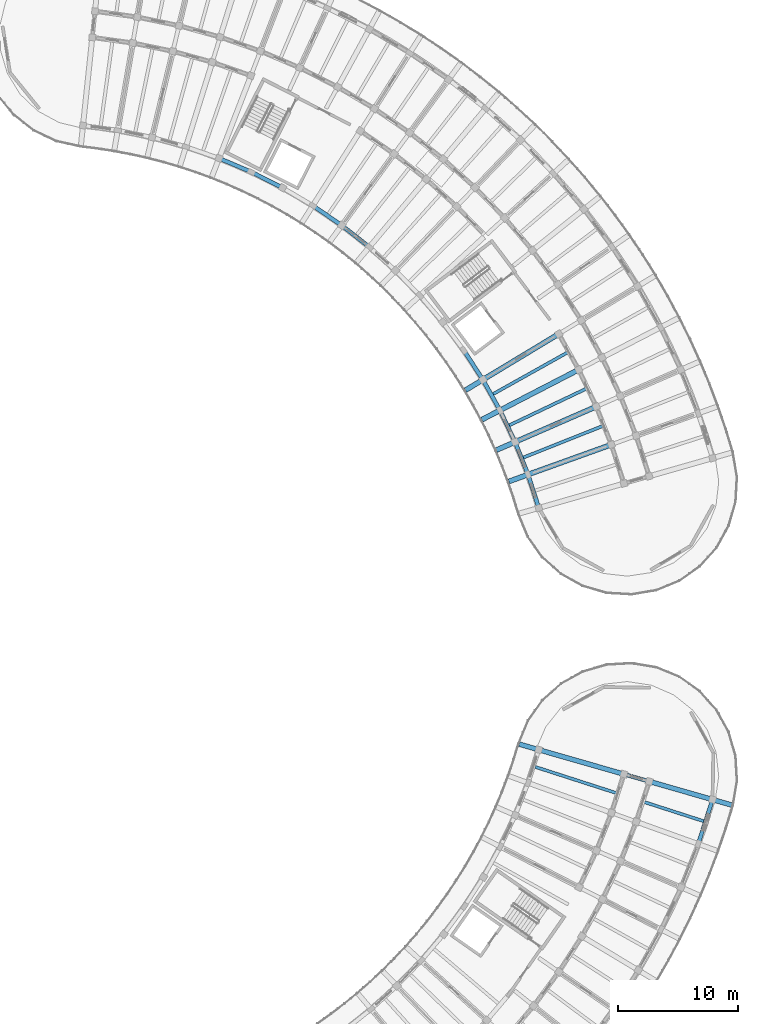
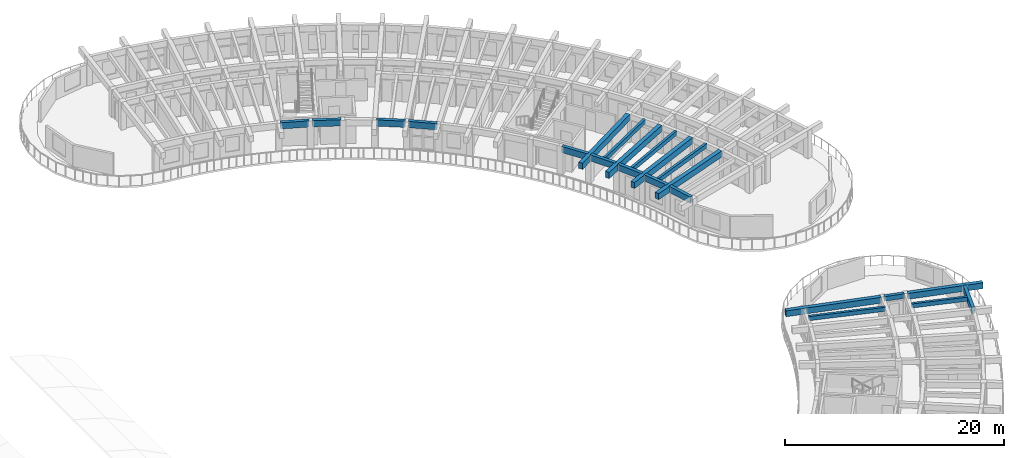
# One storey, part 34 of 96: 22 beams.
"""IFC4 building model written with IfcOpenShell, lengths in metres."""

from ifc_helpers import new_model, si_unit, direction, frame, origin, origin_2d, place, context, subcontext, project, spatial, rectangle, extrude, material, material_profile, profile_set, type_object, element, save


model = new_model("IFC4")

# Units and contexts
model_context = context("Model", 3, precision=1e-05, world=origin(), true_north=direction((0.0, 1.0)))
body_context = subcontext(model_context, "Body", "Model", "MODEL_VIEW")
ifc_project = project(units=[si_unit("LENGTHUNIT", "METRE"), si_unit("AREAUNIT", "SQUARE_METRE"), si_unit("VOLUMEUNIT", "CUBIC_METRE"), si_unit("PLANEANGLEUNIT", "RADIAN"), si_unit("MASSUNIT", "GRAM", prefix="KILO")], contexts=[model_context])

# Site, building, storey
site_placement = place(None, origin())
site = spatial("IfcSite", under=ifc_project, at=site_placement, CompositionType="ELEMENT")
building_placement = place(site_placement, origin())
building = spatial("IfcBuilding", under=site, at=building_placement, Name="Tanwirah Colonnade Gardens", CompositionType="ELEMENT")
storey_placement = place(building_placement, frame((0.0, 0.0, 12.199951171875)))
storey = spatial("IfcBuildingStorey", under=building, at=storey_placement, Name="L03", CompositionType="ELEMENT", Elevation=12.199951171875)

# Beams
ifc_material_1 = material(Name="Precast concrete C40/50", Category="concrete")
ifc_material_profile_1 = material_profile(ifc_material_1, rectangle(XDim=0.320068359375, YDim=0.52001953125, at=origin_2d()), Name="PC-BM 320x520")
ifc_profile_set_1 = profile_set([ifc_material_profile_1], Name="Precast concrete C40/50")
beam_type_1 = type_object("IfcBeamType", Name="BM-PC320", PredefinedType="BEAM", material=ifc_profile_set_1)
beam_1_placement = place(storey_placement, frame((170.985595703125, 50.166748046875, 2.844970703125), z_axis=(0.961266538157, -0.275620468433, 0.0), x_axis=(0.275620468433, 0.961266538157, 0.0)))
element("IfcBeam", 1, at=beam_1_placement, inside=storey, type_object=beam_type_1, Name="Block D L03 Corridor Tie Beam 16", PredefinedType="BEAM", context=body_context, shape_type="SweptSolid", body=[
    extrude(rectangle(XDim=0.320068359375, YDim=0.52001953125, at=origin_2d()), origin(), (0.0, 0.0, 1.0), 1.89990234375),
])
ifc_material_2 = material(Name="Precast concrete C45/55", Category="concrete")
ifc_material_profile_2 = material_profile(ifc_material_2, rectangle(XDim=0.39990234375, YDim=0.64990234375, at=origin_2d()), Name="PC-BM 400x650")
ifc_profile_set_2 = profile_set([ifc_material_profile_2], Name="Precast concrete C45/55")
beam_type_2 = type_object("IfcBeamType", Name="BM-PC400", PredefinedType="BEAM", material=ifc_profile_set_2)
beam_2_placement = place(storey_placement, frame((170.697265625, 50.24951171875, 2.780029296875), z_axis=(-0.961258954076, 0.275646917646, 0.0), x_axis=(-0.275646917646, -0.961258954076, 0.0)))
element("IfcBeam", 2, at=beam_2_placement, inside=storey, type_object=beam_type_2, Name="Block D L03 Inner Radial Precast Girder 16", PredefinedType="BEAM", context=body_context, shape_type="SweptSolid", body=[
    extrude(rectangle(XDim=0.39990234375, YDim=0.64990234375, at=origin_2d()), origin(), (0.0, 0.0, 1.0), 8.949951171875),
])
beam_3_placement = place(storey_placement, frame((173.100341796875, 49.560546875, 2.780029296875), z_axis=(0.961256910003, -0.275654045811, 0.0), x_axis=(0.275654045811, 0.961256910003, 0.0)))
element("IfcBeam", 3, at=beam_3_placement, inside=storey, type_object=beam_type_2, Name="Block D L03 Outer Radial Precast Girder 16", PredefinedType="BEAM", context=body_context, shape_type="SweptSolid", body=[
    extrude(rectangle(XDim=0.39990234375, YDim=0.64990234375, at=origin_2d()), origin(), (0.0, 0.0, 1.0), 7.050048828125),
])
ifc_material_profile_3 = material_profile(ifc_material_2, rectangle(XDim=0.419921875, YDim=0.679931640625, at=origin_2d()), Name="PC-BM 420x680")
ifc_profile_set_3 = profile_set([ifc_material_profile_3], Name="Precast concrete C45/55")
beam_type_3 = type_object("IfcBeamType", Name="BM-PC420", PredefinedType="BEAM", material=ifc_profile_set_3)
beam_4_placement = place(storey_placement, frame((169.650390625, 77.69384765625, 2.76513671875), z_axis=(-0.941017049702, -0.338359146723, 0.0), x_axis=(0.338359146723, -0.941017049702, 0.0)))
element("IfcBeam", 4, at=beam_4_placement, inside=storey, type_object=beam_type_3, Name="Block B L03 Inner Radial Precast Girder 1", PredefinedType="BEAM", context=body_context, shape_type="SweptSolid", body=[
    extrude(rectangle(XDim=0.419921875, YDim=0.679931640625, at=origin_2d()), origin(), (0.0, 0.0, 1.0), 8.949951171875),
])
beam_5_placement = place(storey_placement, frame((168.39208984375, 80.861328125, 2.76513671875), z_axis=(-0.916669317869, -0.399646545934, 0.0), x_axis=(0.399646545934, -0.916669317869, 0.0)))
element("IfcBeam", 5, at=beam_5_placement, inside=storey, type_object=beam_type_3, Name="Block B L03 Inner Radial Precast Girder 2", PredefinedType="BEAM", context=body_context, shape_type="SweptSolid", body=[
    extrude(rectangle(XDim=0.419921875, YDim=0.679931640625, at=origin_2d()), origin(), (0.0, 0.0, 1.0), 8.9501953125),
])
beam_6_placement = place(storey_placement, frame((166.927734375, 83.93896484375, 2.76513671875), z_axis=(-0.888345427876, -0.459175784175, 0.0), x_axis=(0.459175784175, -0.888345427876, 0.0)))
element("IfcBeam", 6, at=beam_6_placement, inside=storey, type_object=beam_type_3, Name="Block B L03 Inner Radial Precast Girder 3", PredefinedType="BEAM", context=body_context, shape_type="SweptSolid", body=[
    extrude(rectangle(XDim=0.419921875, YDim=0.679931640625, at=origin_2d()), origin(), (0.0, 0.0, 1.0), 8.949951171875),
])
beam_7_placement = place(storey_placement, frame((165.263916015625, 86.913330078125, 2.76513671875), z_axis=(-0.856168728297, -0.516696340887, 0.0), x_axis=(0.516696340887, -0.856168728297, 0.0)))
element("IfcBeam", 7, at=beam_7_placement, inside=storey, type_object=beam_type_3, Name="Block B L03 Inner Radial Precast Girder 4", PredefinedType="BEAM", context=body_context, shape_type="SweptSolid", body=[
    extrude(rectangle(XDim=0.419921875, YDim=0.679931640625, at=origin_2d()), origin(), (0.0, 0.0, 1.0), 8.9501953125),
])
ifc_material_profile_4 = material_profile(ifc_material_1, rectangle(XDim=0.2548828125, YDim=0.455078125, at=origin_2d()), Name="PC-JST 255x455")
ifc_profile_set_4 = profile_set([ifc_material_profile_4], Name="Precast concrete C40/50")
beam_type_4 = type_object("IfcBeamType", Name="JST-PC240", PredefinedType="JOIST", material=ifc_profile_set_4)
beam_8_placement = place(storey_placement, frame((172.55517578125, 47.873046875, 2.87744140625), z_axis=(0.95172917624, -0.30693904133, 0.0), x_axis=(0.30693904133, 0.95172917624, 0.0)))
element("IfcBeam", 8, at=beam_8_placement, inside=storey, type_object=beam_type_4, Name="Block D L03 Precast Floor Joist 15", PredefinedType="JOIST", context=body_context, shape_type="SweptSolid", body=[
    extrude(rectangle(XDim=0.2548828125, YDim=0.455078125, at=origin_2d()), origin(), (0.0, 0.0, 1.0), 5.260009765625),
])
beam_9_placement = place(storey_placement, frame((163.41845703125, 50.819580078125, 2.87744140625), z_axis=(0.951727255502, -0.30694499692, 0.0), x_axis=(0.30694499692, 0.951727255502, 0.0)))
element("IfcBeam", 9, at=beam_9_placement, inside=storey, type_object=beam_type_4, Name="Block D L03 Inner Precast Floor Joist 15", PredefinedType="JOIST", context=body_context, shape_type="SweptSolid", body=[
    extrude(rectangle(XDim=0.2548828125, YDim=0.455078125, at=origin_2d()), origin(), (0.0, 0.0, 1.0), 7.16015625),
])
ifc_material_profile_5 = material_profile(ifc_material_1, rectangle(XDim=0.260009765625, YDim=0.4599609375, at=origin_2d()), Name="PC-JST 260x460")
ifc_profile_set_5 = profile_set([ifc_material_profile_5], Name="Precast concrete C40/50")
beam_type_5 = type_object("IfcBeamType", Name="JST-PC260", PredefinedType="JOIST", material=ifc_profile_set_5)
for number, where, z_axis, x_axis, name in (
    (10, (162.4208984375, 76.655517578125, 2.875), (0.929348880779, 0.369202732649, 0.0), (-0.369202732649, 0.929348880779, 0.0), "Block B L03 Inner Precast Floor Joist 1"),
    (11, (161.246826171875, 79.348876953125, 2.875), (0.903005429363, 0.429629136048, 0.0), (-0.429629136048, 0.903005429363, 0.0), "Block B L03 Inner Precast Floor Joist 2"),
    (12, (159.897705078125, 81.958984375, 2.875), (0.872726875563, 0.488208767506, 0.0), (-0.488208767506, 0.872726875563, 0.0), "Block B L03 Inner Precast Floor Joist 3"),
):
    element("IfcBeam", number, at=place(storey_placement, frame(where, z_axis=z_axis, x_axis=x_axis)), inside=storey, type_object=beam_type_5, Name=name, PredefinedType="JOIST", context=body_context, shape_type="SweptSolid", body=[
        extrude(rectangle(XDim=0.260009765625, YDim=0.4599609375, at=origin_2d()), origin(), (0.0, 0.0, 1.0), 7.16015625),
    ])
ifc_material_profile_6 = material_profile(ifc_material_1, rectangle(XDim=0.324951171875, YDim=0.68505859375, at=origin_2d()), Name="PC-SP 325x685")
ifc_profile_set_6 = profile_set([ifc_material_profile_6], Name="Precast concrete C40/50")
beam_type_6 = type_object("IfcBeamType", Name="SP-PC260", PredefinedType="SPANDREL", material=ifc_profile_set_6)
beam_10_placement = place(storey_placement, frame((177.093017578125, 44.519775390625, 2.762451171875), z_axis=(0.306927419976, 0.951732924127, 0.0), x_axis=(-0.951732924127, 0.306927419976, 0.0)))
element("IfcBeam", 13, at=beam_10_placement, inside=storey, type_object=beam_type_6, Name="Block D L03 Circumferential Beam 15-R3", PredefinedType="SPANDREL", context=body_context, shape_type="SweptSolid", body=[
    extrude(rectangle(XDim=0.324951171875, YDim=0.68505859375, at=origin_2d()), origin(), (0.0, 0.0, 1.0), 3.596923828125),
])
ifc_material_profile_7 = material_profile(ifc_material_1, rectangle(XDim=0.3349609375, YDim=0.695068359375, at=origin_2d()), Name="PC-SP 335x695")
ifc_profile_set_7 = profile_set([ifc_material_profile_7], Name="Precast concrete C40/50")
beam_type_7 = type_object("IfcBeamType", Name="SP-PC300", PredefinedType="SPANDREL", material=ifc_profile_set_7)
beam_11_placement = place(storey_placement, frame((163.681884765625, 72.5947265625, 2.757568359375), z_axis=(-0.307135661902, 0.951665742363, 0.0), x_axis=(-0.951665742363, -0.307135661902, 0.0)))
element("IfcBeam", 14, at=beam_11_placement, inside=storey, type_object=beam_type_7, Name="Block B L03 Circumferential Beam 0-R0", PredefinedType="SPANDREL", context=body_context, shape_type="SweptSolid", body=[
    extrude(rectangle(XDim=0.3349609375, YDim=0.695068359375, at=origin_2d()), origin(), (0.0, 0.0, 1.0), 2.63037109375),
])
beam_12_placement = place(storey_placement, frame((162.772705078125, 75.380126953125, 2.757568359375), z_axis=(-0.369245181709, 0.929332015904, 0.0), x_axis=(-0.929332015904, -0.369245181709, 0.0)))
element("IfcBeam", 15, at=beam_12_placement, inside=storey, type_object=beam_type_7, Name="Block B L03 Circumferential Beam 1-R0", PredefinedType="SPANDREL", context=body_context, shape_type="SweptSolid", body=[
    extrude(rectangle(XDim=0.3349609375, YDim=0.695068359375, at=origin_2d()), origin(), (0.0, 0.0, 1.0), 2.630126953125),
])
beam_13_placement = place(storey_placement, frame((161.681640625, 78.099365234375, 2.757568359375), z_axis=(-0.42964173036, 0.902999437172, 0.0), x_axis=(-0.902999437172, -0.42964173036, 0.0)))
element("IfcBeam", 16, at=beam_13_placement, inside=storey, type_object=beam_type_7, Name="Block B L03 Circumferential Beam 2-R0", PredefinedType="SPANDREL", context=body_context, shape_type="SweptSolid", body=[
    extrude(rectangle(XDim=0.3349609375, YDim=0.695068359375, at=origin_2d()), origin(), (0.0, 0.0, 1.0), 2.63037109375),
])
beam_14_placement = place(storey_placement, frame((160.413818359375, 80.740966796875, 2.757568359375), z_axis=(-0.488170837957, 0.872748092503, 0.0), x_axis=(-0.872748092503, -0.488170837957, 0.0)))
element("IfcBeam", 17, at=beam_14_placement, inside=storey, type_object=beam_type_7, Name="Block B L03 Circumferential Beam 3-R0", PredefinedType="SPANDREL", context=body_context, shape_type="SweptSolid", body=[
    extrude(rectangle(XDim=0.3349609375, YDim=0.695068359375, at=origin_2d()), origin(), (0.0, 0.0, 1.0), 2.630126953125),
])
for number, where, z_axis, x_axis, name in (
    (18, (158.974853515625, 83.29296875, 2.757568359375), (-0.544570677829, 0.838714955661, 0.0), (-0.838714955661, -0.544570677829, 0.0), "Block B L03 Circumferential Beam 4-R0"),
    (19, (149.453857421875, 94.34326171875, 2.757568359375), (-0.786836625031, 0.617161344795, 0.0), (-0.617161344795, -0.786836625031, 0.0), "Block B L03 Circumferential Beam 9-R0"),
    (20, (147.142578125, 96.143798828125, 2.757568359375), (-0.825800981874, 0.563961646158, 0.0), (-0.563961646158, -0.825800981874, 0.0), "Block B L03 Circumferential Beam 10-R0"),
    (21, (142.189453125, 99.26904296875, 2.757568359375), (-0.892769015158, 0.450514689632, 0.0), (-0.450514689632, -0.892769015158, 0.0), "Block B L03 Circumferential Beam 12-R0"),
    (22, (139.569091796875, 100.580322265625, 2.757568359375), (-0.920488719784, 0.390769134848, 0.0), (-0.390769134848, -0.920488719784, 0.0), "Block B L03 Circumferential Beam 13-R0"),
):
    element("IfcBeam", number, at=place(storey_placement, frame(where, z_axis=z_axis, x_axis=x_axis)), inside=storey, type_object=beam_type_7, Name=name, PredefinedType="SPANDREL", context=body_context, shape_type="SweptSolid", body=[
        extrude(rectangle(XDim=0.3349609375, YDim=0.695068359375, at=origin_2d()), origin(), (0.0, 0.0, 1.0), 2.63037109375),
    ])

save(model, "model.ifc")
